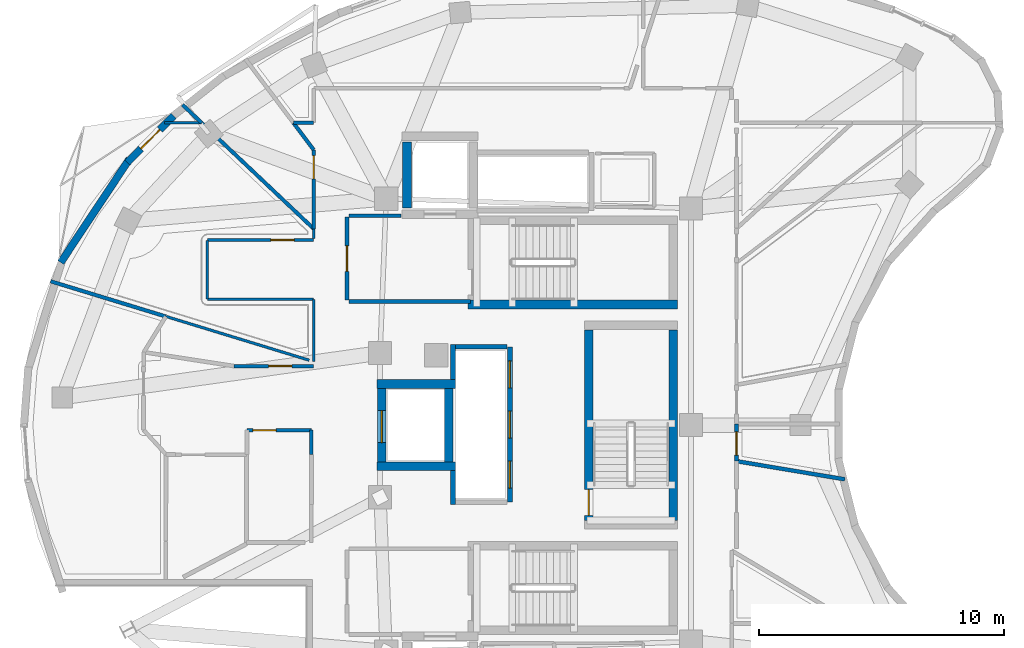
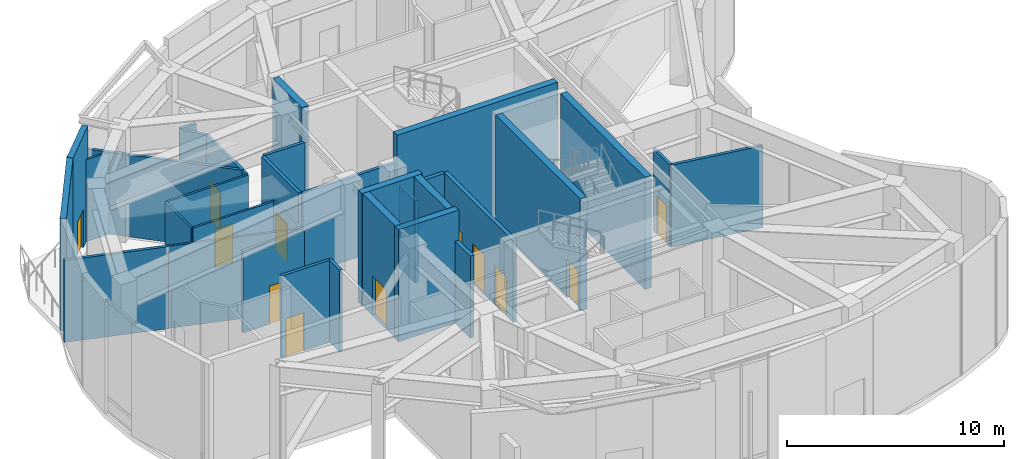
# One storey, part 7 of 12: 35 walls, 12 doors, 12 openings.
"""IFC4 building model written with IfcOpenShell, lengths in metres."""

from ifc_helpers import new_model, si_unit, direction, frame, frame_2d, origin, place, context, subcontext, project, spatial, rectangle, extrude, material, layer, layer_set, type_object, element, fill, save


model = new_model("IFC4")

# Units and contexts
model_context = context("Model", 3, precision=1e-05, world=origin(), true_north=direction((0.0, 1.0)))
body_context = subcontext(model_context, "Body", "Model", "MODEL_VIEW")
ifc_project = project(units=[si_unit("LENGTHUNIT", "METRE"), si_unit("AREAUNIT", "SQUARE_METRE"), si_unit("VOLUMEUNIT", "CUBIC_METRE"), si_unit("PLANEANGLEUNIT", "RADIAN"), si_unit("MASSUNIT", "GRAM", prefix="KILO")], contexts=[model_context])

# Site, building, storey
site_placement = place(None, origin())
site = spatial("IfcSite", under=ifc_project, at=site_placement, CompositionType="ELEMENT")
building_placement = place(site_placement, origin())
building = spatial("IfcBuilding", under=site, at=building_placement, Name="Korentha Bioscience Tower", CompositionType="ELEMENT")
storey_placement = place(building_placement, frame((0.0, 0.0, 291.0)))
storey = spatial("IfcBuildingStorey", under=building, at=storey_placement, Name="L67", CompositionType="ELEMENT", Elevation=291.0)

# Wall, opening, door
ifc_material_1 = material(Name="Double-Stud Acoustic Gypsum", Category="gypsum")
ifc_layer_1 = layer(ifc_material_1, 0.14990234375, Name="Double-Stud Acoustic Gypsum")
ifc_layer_set_1 = layer_set([ifc_layer_1], Name="Double-Stud Acoustic Gypsum (IW-L150)")
wall_type_1 = type_object("IfcWallType", Name="Acoustic Laboratory Partition Wall 150", PredefinedType="PARTITIONING", material=ifc_layer_set_1)
wall_1_placement = place(storey_placement, frame((39.409912109375, 25.536376953125, 0.0), z_axis=(0.0, 0.0, 1.0), x_axis=(0.0, 1.0, 0.0)))
wall_1 = element("IfcWall", 1, at=wall_1_placement, inside=storey, type_object=wall_type_1, Name="L67 Wind-Portal Aerodynamic Viewing Gallery 09 Entrance Wall", PredefinedType="PARTITIONING", context=body_context, shape_type="SweptSolid", body=[
    extrude(rectangle(XDim=1.51171875, YDim=0.14990234375, at=frame_2d((0.755859375, 0.0))), origin(), (0.0, 0.0, 1.0), 4.610107421875),
])
opening_1_placement = place(wall_1_placement, frame((0.239990234375, 0.0, 0.0)))
opening_1 = element("IfcOpeningElement", 2, at=opening_1_placement, cuts=wall_1, Name="Opening ID-10R", PredefinedType="OPENING", context=body_context, shape_type="SweptSolid", body=[
    extrude(rectangle(XDim=0.949951171875, YDim=2.14990234375, at=frame_2d((0.47509765625, 1.074951171875))), frame((0.0, 0.08984375, 0.0), z_axis=(0.0, -1.0, 0.0), x_axis=(1.0, 0.0, 0.0)), (0.0, 0.0, 1.0), 0.1796875),
])
ifc_material_2 = material(Name="Phenolic Laminate Timber Core", Category="wood")
door_type_1 = type_object("IfcDoorType", Name="Laboratory Single Leaf Door 950x2150 Right", OperationType="SINGLE_SWING_RIGHT", PredefinedType="DOOR", material=ifc_material_2)
door_1_placement = place(opening_1_placement, origin())
door_1 = element("IfcDoor", 3, at=door_1_placement, inside=storey, type_object=door_type_1, Name="L67 Wind-Portal Aerodynamic Viewing Gallery 09 Door", OperationType="SINGLE_SWING_RIGHT", OverallHeight=2.14990234375, OverallWidth=0.949951171875, PredefinedType="DOOR", context=body_context, shape_type="SweptSolid", body=[
    extrude(rectangle(XDim=0.949951171875, YDim=2.14990234375, at=frame_2d((0.47509765625, 1.074951171875))), frame((0.0, 0.02490234375, 0.0), z_axis=(0.0, -1.0, 0.0), x_axis=(1.0, 0.0, 0.0)), (0.0, 0.0, 1.0), 0.050048828125),
])
fill(opening_1, door_1)

wall_2_placement = place(storey_placement, frame((22.139892578125, 38.243896484375, 0.0), z_axis=(0.0, 0.0, 1.0), x_axis=(0.0, -1.0, 0.0)))
wall_2 = element("IfcWall", 4, at=wall_2_placement, inside=storey, type_object=wall_type_1, Name="L67 High-Altitude Atmospheric Sensor Lab 16 Entrance Wall", PredefinedType="PARTITIONING", context=body_context, shape_type="SweptSolid", body=[
    extrude(rectangle(XDim=3.226318359375, YDim=0.14990234375, at=frame_2d((1.61328125, 0.0))), origin(), (0.0, 0.0, 1.0), 4.610107421875),
])
opening_2_placement = place(wall_2_placement, frame((0.239990234375, 0.0, 0.0)))
opening_2 = element("IfcOpeningElement", 5, at=opening_2_placement, cuts=wall_2, Name="Opening ID-10L", PredefinedType="OPENING", context=body_context, shape_type="SweptSolid", body=[
    extrude(rectangle(XDim=0.949951171875, YDim=2.14990234375, at=frame_2d((0.47509765625, 1.074951171875))), frame((0.0, 0.08984375, 0.0), z_axis=(0.0, -1.0, 0.0), x_axis=(1.0, 0.0, 0.0)), (0.0, 0.0, 1.0), 0.1796875),
])
door_type_2 = type_object("IfcDoorType", Name="Laboratory Single Leaf Door 950x2150 Left", OperationType="SINGLE_SWING_LEFT", PredefinedType="DOOR", material=ifc_material_2)
door_2_placement = place(opening_2_placement, origin())
door_2 = element("IfcDoor", 6, at=door_2_placement, inside=storey, type_object=door_type_2, Name="L67 High-Altitude Atmospheric Sensor Lab 16 Door", OperationType="SINGLE_SWING_LEFT", OverallHeight=2.14990234375, OverallWidth=0.949951171875, PredefinedType="DOOR", context=body_context, shape_type="SweptSolid", body=[
    extrude(rectangle(XDim=0.949951171875, YDim=2.14990234375, at=frame_2d((0.47509765625, 1.074951171875))), frame((0.0, 0.02490234375, 0.0), z_axis=(0.0, -1.0, 0.0), x_axis=(1.0, 0.0, 0.0)), (0.0, 0.0, 1.0), 0.050048828125),
])
fill(opening_2, door_2)

wall_3_placement = place(storey_placement, frame((22.139892578125, 29.409912109375, 0.0), z_axis=(0.0, 0.0, 1.0), x_axis=(-1.0, 0.0, 0.0)))
wall_3 = element("IfcWall", 7, at=wall_3_placement, inside=storey, type_object=wall_type_1, Name="L67 Public Science Briefing Room 18 Entrance Wall", PredefinedType="PARTITIONING", context=body_context, shape_type="SweptSolid", body=[
    extrude(rectangle(XDim=3.255126953125, YDim=0.14990234375, at=frame_2d((1.62744140625, 0.0))), origin(), (0.0, 0.0, 1.0), 4.610107421875),
])
opening_3_placement = place(wall_3_placement, frame((0.89501953125, 0.0, 0.0)))
opening_3 = element("IfcOpeningElement", 8, at=opening_3_placement, cuts=wall_3, Name="Opening ID-10L", PredefinedType="OPENING", context=body_context, shape_type="SweptSolid", body=[
    extrude(rectangle(XDim=0.949951171875, YDim=2.14990234375, at=frame_2d((0.47509765625, 1.074951171875))), frame((0.0, 0.08984375, 0.0), z_axis=(0.0, -1.0, 0.0), x_axis=(1.0, 0.0, 0.0)), (0.0, 0.0, 1.0), 0.1796875),
])
door_3_placement = place(opening_3_placement, origin())
door_3 = element("IfcDoor", 9, at=door_3_placement, inside=storey, type_object=door_type_2, Name="L67 Public Science Briefing Room 18 Door", OperationType="SINGLE_SWING_LEFT", OverallHeight=2.14990234375, OverallWidth=0.949951171875, PredefinedType="DOOR", context=body_context, shape_type="SweptSolid", body=[
    extrude(rectangle(XDim=0.949951171875, YDim=2.14990234375, at=frame_2d((0.47509765625, 1.074951171875))), frame((0.0, 0.02490234375, 0.0), z_axis=(0.0, -1.0, 0.0), x_axis=(1.0, 0.0, 0.0)), (0.0, 0.0, 1.0), 0.050048828125),
])
fill(opening_3, door_3)

# Walls
wall_4_placement = place(storey_placement, frame((11.395263671875, 32.8740234375, 0.0), z_axis=(0.0, 0.0, 1.0), x_axis=(0.956304539226, -0.292372413638, 0.0)))
element("IfcWall", 10, at=wall_4_placement, inside=storey, type_object=wall_type_1, Name="L67 Interior Partition 029", PredefinedType="PARTITIONING", context=body_context, shape_type="SweptSolid", body=[
    extrude(rectangle(XDim=4.91748046875, YDim=0.14990234375, at=frame_2d((2.458740234375, 0.0))), origin(), (0.0, 0.0, 1.0), 4.610107421875),
])
wall_5_placement = place(storey_placement, frame((22.139892578125, 39.35205078125, 0.0), z_axis=(0.0, 0.0, 1.0), x_axis=(-1.0, 0.0, 0.0)))
element("IfcWall", 11, at=wall_5_placement, inside=storey, type_object=wall_type_1, Name="L67 Interior Partition 071", PredefinedType="PARTITIONING", context=body_context, shape_type="SweptSolid", body=[
    extrude(rectangle(XDim=0.82958984375, YDim=0.14990234375, at=frame_2d((0.414794921875, 0.0))), origin(), (0.0, 0.0, 1.0), 4.610107421875),
])
wall_6_placement = place(storey_placement, frame((21.3125, 39.342041015625, 0.0), z_axis=(0.0, 0.0, 1.0), x_axis=(0.601759967569, -0.79867699443, 0.0)))
element("IfcWall", 12, at=wall_6_placement, inside=storey, type_object=wall_type_1, Name="L67 Interior Partition 073", PredefinedType="PARTITIONING", context=body_context, shape_type="SweptSolid", body=[
    extrude(rectangle(XDim=1.375, YDim=0.14990234375, at=frame_2d((0.6875, 0.0))), origin(), (0.0, 0.0, 1.0), 4.610107421875),
])
wall_7_placement = place(storey_placement, frame((22.139892578125, 35.017578125, 0.0), z_axis=(0.0, 0.0, 1.0), x_axis=(-0.726568240796, 0.68709431046, 0.0)))
element("IfcWall", 13, at=wall_7_placement, inside=storey, type_object=wall_type_1, Name="L67 Interior Partition 074", PredefinedType="PARTITIONING", context=body_context, shape_type="SweptSolid", body=[
    extrude(rectangle(XDim=6.302490234375, YDim=0.14990234375, at=frame_2d((3.1513671875, 0.0))), origin(), (0.0, 0.0, 1.0), 4.610107421875),
])
wall_8_placement = place(storey_placement, frame((17.556396484375, 39.35205078125, 0.0), z_axis=(0.0, 0.0, 1.0), x_axis=(-0.726468416955, 0.687199853876, 0.0)))
element("IfcWall", 14, at=wall_8_placement, inside=storey, type_object=wall_type_1, Name="L67 Interior Partition 075", PredefinedType="PARTITIONING", context=body_context, shape_type="SweptSolid", body=[
    extrude(rectangle(XDim=1.0693359375, YDim=0.14990234375, at=frame_2d((0.53466796875, 0.0))), origin(), (0.0, 0.0, 1.0), 4.610107421875),
])

# Wall, opening, door
ifc_material_3 = material(Name="Fire-Rated Framed Glass", Category="glass")
ifc_layer_2 = layer(ifc_material_3, 0.110107421875, Name="Fire-Rated Framed Glass")
ifc_layer_set_2 = layer_set([ifc_layer_2], Name="Fire-Rated Framed Glass (IW-G110)")
wall_type_2 = type_object("IfcWallType", Name="Demountable Glazed Office Partition 110", PredefinedType="MOVABLE", material=ifc_layer_set_2)
wall_9_placement = place(storey_placement, frame((22.139892578125, 34.56005859375, 0.0), z_axis=(0.0, 0.0, 1.0), x_axis=(-1.0, 0.0, 0.0)))
wall_9 = element("IfcWall", 15, at=wall_9_placement, inside=storey, type_object=wall_type_2, Name="L67 Climate Telemetry Control Studio 17 Entrance Wall", PredefinedType="MOVABLE", context=body_context, shape_type="SweptSolid", body=[
    extrude(rectangle(XDim=4.33984375, YDim=0.110107421875, at=frame_2d((2.169921875, 0.0))), origin(), (0.0, 0.0, 1.0), 4.610107421875),
])
opening_4_placement = place(wall_9_placement, frame((0.80126953125, 0.0, 0.0)))
opening_4 = element("IfcOpeningElement", 16, at=opening_4_placement, cuts=wall_9, Name="Opening ID-10R", PredefinedType="OPENING", context=body_context, shape_type="SweptSolid", body=[
    extrude(rectangle(XDim=0.949951171875, YDim=2.14990234375, at=frame_2d((0.47509765625, 1.074951171875))), frame((0.0, 0.06982421875, 0.0), z_axis=(0.0, -1.0, 0.0), x_axis=(1.0, 0.0, 0.0)), (0.0, 0.0, 1.0), 0.139892578125),
])
door_4_placement = place(opening_4_placement, origin())
door_4 = element("IfcDoor", 17, at=door_4_placement, inside=storey, type_object=door_type_1, Name="L67 Climate Telemetry Control Studio 17 Door", OperationType="SINGLE_SWING_RIGHT", OverallHeight=2.14990234375, OverallWidth=0.949951171875, PredefinedType="DOOR", context=body_context, shape_type="SweptSolid", body=[
    extrude(rectangle(XDim=0.949951171875, YDim=2.14990234375, at=frame_2d((0.47509765625, 1.074951171875))), frame((0.0, 0.02490234375, 0.0), z_axis=(0.0, -1.0, 0.0), x_axis=(1.0, 0.0, 0.0)), (0.0, 0.0, 1.0), 0.050048828125),
])
fill(opening_4, door_4)

# Walls
wall_10_placement = place(storey_placement, frame((16.044677734375, 39.347900390625, 0.0), z_axis=(0.0, 0.0, 1.0), x_axis=(1.0, 0.0, 0.0)))
element("IfcWall", 18, at=wall_10_placement, inside=storey, type_object=wall_type_2, Name="L67 Interior Partition 076", PredefinedType="MOVABLE", context=body_context, shape_type="SweptSolid", body=[
    extrude(rectangle(XDim=1.50146484375, YDim=0.110107421875, at=frame_2d((0.750732421875, 0.0))), origin(), (0.0, 0.0, 1.0), 4.610107421875),
])
wall_11_placement = place(storey_placement, frame((22.139892578125, 35.007568359375, 0.0), z_axis=(0.0, 0.0, 1.0), x_axis=(0.0, -1.0, 0.0)))
element("IfcWall", 19, at=wall_11_placement, inside=storey, type_object=wall_type_2, Name="L67 Interior Partition 077", PredefinedType="MOVABLE", context=body_context, shape_type="SweptSolid", body=[
    extrude(rectangle(XDim=0.3896484375, YDim=0.110107421875, at=frame_2d((0.19482421875, 0.0))), origin(), (0.0, 0.0, 1.0), 4.610107421875),
])
wall_12_placement = place(storey_placement, frame((17.7900390625, 34.550048828125, 0.0), z_axis=(0.0, 0.0, 1.0), x_axis=(0.0, -1.0, 0.0)))
element("IfcWall", 20, at=wall_12_placement, inside=storey, type_object=wall_type_2, Name="L67 Interior Partition 078", PredefinedType="MOVABLE", context=body_context, shape_type="SweptSolid", body=[
    extrude(rectangle(XDim=2.400146484375, YDim=0.110107421875, at=frame_2d((1.2001953125, 0.0))), origin(), (0.0, 0.0, 1.0), 4.610107421875),
])
wall_13_placement = place(storey_placement, frame((17.800048828125, 32.139892578125, 0.0), z_axis=(0.0, 0.0, 1.0), x_axis=(1.0, 0.0, 0.0)))
element("IfcWall", 21, at=wall_13_placement, inside=storey, type_object=wall_type_2, Name="L67 Interior Partition 079", PredefinedType="MOVABLE", context=body_context, shape_type="SweptSolid", body=[
    extrude(rectangle(XDim=4.33984375, YDim=0.110107421875, at=frame_2d((2.169921875, 0.0))), origin(), (0.0, 0.0, 1.0), 4.610107421875),
])
wall_14_placement = place(storey_placement, frame((22.139892578125, 32.139892578125, 0.0), z_axis=(0.0, 0.0, 1.0), x_axis=(0.0, -1.0, 0.0)))
element("IfcWall", 22, at=wall_14_placement, inside=storey, type_object=wall_type_2, Name="L67 Interior Partition 080", PredefinedType="MOVABLE", context=body_context, shape_type="SweptSolid", body=[
    extrude(rectangle(XDim=2.546630859375, YDim=0.110107421875, at=frame_2d((1.2734375, 0.0))), origin(), (0.0, 0.0, 1.0), 4.610107421875),
])
wall_15_placement = place(storey_placement, frame((21.95458984375, 29.64990234375, 0.0), z_axis=(0.0, 0.0, 1.0), x_axis=(-0.956300718174, 0.292384911411, 0.0)))
element("IfcWall", 23, at=wall_15_placement, inside=storey, type_object=wall_type_2, Name="L67 Interior Partition 081", PredefinedType="MOVABLE", context=body_context, shape_type="SweptSolid", body=[
    extrude(rectangle(XDim=6.11376953125, YDim=0.110107421875, at=frame_2d((3.056884765625, 0.0))), origin(), (0.0, 0.0, 1.0), 4.610107421875),
])

# Wall, opening, door
ifc_material_4 = material(Name="Gypsum-Clad Steel Stud", Category="steel")
ifc_layer_3 = layer(ifc_material_4, 0.159912109375, Name="Gypsum-Clad Steel Stud")
ifc_layer_set_3 = layer_set([ifc_layer_3], Name="Gypsum-Clad Steel Stud (IW-C160)")
wall_type_3 = type_object("IfcWallType", Name="Fire-Rated Corridor Partition Wall 160", PredefinedType="PARTITIONING", material=ifc_layer_set_3)
wall_16_placement = place(storey_placement, frame((23.5, 32.10009765625, 0.0), z_axis=(0.0, 0.0, 1.0), x_axis=(0.0, 1.0, 0.0)))
wall_16 = element("IfcWall", 24, at=wall_16_placement, inside=storey, type_object=wall_type_3, Name="L67 FFLN-CW Rated Enclosure Wall", PredefinedType="PARTITIONING", context=body_context, shape_type="SweptSolid", body=[
    extrude(rectangle(XDim=3.39990234375, YDim=0.159912109375, at=frame_2d((1.699951171875, 0.0))), origin(), (0.0, 0.0, 1.0), 4.610107421875),
])
opening_5_placement = place(wall_16_placement, frame((1.175048828125, 0.0, 0.0)))
opening_5 = element("IfcOpeningElement", 25, at=opening_5_placement, cuts=wall_16, Name="Opening FD-90R", PredefinedType="OPENING", context=body_context, shape_type="SweptSolid", body=[
    extrude(rectangle(XDim=1.050048828125, YDim=2.14990234375, at=frame_2d((0.52490234375, 1.074951171875))), frame((0.0, 0.0947265625, 0.0), z_axis=(0.0, -1.0, 0.0), x_axis=(1.0, 0.0, 0.0)), (0.0, 0.0, 1.0), 0.189697265625),
])
ifc_material_5 = material(Name="Powder-Coated Fire-Rated Steel", Category="steel")
door_type_3 = type_object("IfcDoorType", Name="Stairwell Fire Exit Door 1050x2150 Right", OperationType="SINGLE_SWING_RIGHT", PredefinedType="DOOR", material=ifc_material_5)
door_5_placement = place(opening_5_placement, origin())
door_5 = element("IfcDoor", 26, at=door_5_placement, inside=storey, type_object=door_type_3, Name="L67 North Firefighting Lobby Door", OperationType="SINGLE_SWING_RIGHT", OverallHeight=2.14990234375, OverallWidth=1.050048828125, PredefinedType="DOOR", context=body_context, shape_type="SweptSolid", body=[
    extrude(rectangle(XDim=1.050048828125, YDim=2.14990234375, at=frame_2d((0.52490234375, 1.074951171875))), frame((0.0, 0.02490234375, 0.0), z_axis=(0.0, -1.0, 0.0), x_axis=(1.0, 0.0, 0.0)), (0.0, 0.0, 1.0), 0.050048828125),
])
fill(opening_5, door_5)

# Walls
wall_17_placement = place(storey_placement, frame((23.580078125, 32.050048828125, 0.0), z_axis=(0.0, 0.0, 1.0), x_axis=(1.0, 0.0, 0.0)))
element("IfcWall", 27, at=wall_17_placement, inside=storey, type_object=wall_type_3, Name="L67 Firefighting Lobby Return Wall FFLN-S", PredefinedType="PARTITIONING", context=body_context, shape_type="SweptSolid", body=[
    extrude(rectangle(XDim=4.969970703125, YDim=0.159912109375, at=frame_2d((2.48486328125, 0.0))), origin(), (0.0, 0.0, 1.0), 4.610107421875),
])
wall_18_placement = place(storey_placement, frame((23.580078125, 35.550048828125, 0.0), z_axis=(0.0, 0.0, 1.0), x_axis=(1.0, 0.0, 0.0)))
element("IfcWall", 28, at=wall_18_placement, inside=storey, type_object=wall_type_3, Name="L67 Firefighting Lobby Return Wall FFLN-N", PredefinedType="PARTITIONING", context=body_context, shape_type="SweptSolid", body=[
    extrude(rectangle(XDim=2.119873046875, YDim=0.159912109375, at=frame_2d((1.06005859375, 0.0))), origin(), (0.0, 0.0, 1.0), 4.610107421875),
])

# Wall, opening, door
wall_19_placement = place(storey_placement, frame((19.409912109375, 26.7900390625, 0.0), z_axis=(0.0, 0.0, 1.0), x_axis=(1.0, 0.0, 0.0)))
wall_19 = element("IfcWall", 29, at=wall_19_placement, inside=storey, type_object=wall_type_3, Name="L67 Core Electrical and Telecoms Riser Store Entrance Wall", PredefinedType="PARTITIONING", context=body_context, shape_type="SweptSolid", body=[
    extrude(rectangle(XDim=2.630126953125, YDim=0.159912109375, at=frame_2d((1.31494140625, 0.0))), origin(), (0.0, 0.0, 1.0), 4.610107421875),
])
opening_6_placement = place(wall_19_placement, frame((0.239990234375, 0.0, 0.0)))
opening_6 = element("IfcOpeningElement", 30, at=opening_6_placement, cuts=wall_19, Name="Opening ID-10L", PredefinedType="OPENING", context=body_context, shape_type="SweptSolid", body=[
    extrude(rectangle(XDim=0.949951171875, YDim=2.14990234375, at=frame_2d((0.47509765625, 1.074951171875))), frame((0.0, 0.0947265625, 0.0), z_axis=(0.0, -1.0, 0.0), x_axis=(1.0, 0.0, 0.0)), (0.0, 0.0, 1.0), 0.189697265625),
])
door_6_placement = place(opening_6_placement, origin())
door_6 = element("IfcDoor", 31, at=door_6_placement, inside=storey, type_object=door_type_2, Name="L67 Core Electrical and Telecoms Riser Store Door", OperationType="SINGLE_SWING_LEFT", OverallHeight=2.14990234375, OverallWidth=0.949951171875, PredefinedType="DOOR", context=body_context, shape_type="SweptSolid", body=[
    extrude(rectangle(XDim=0.949951171875, YDim=2.14990234375, at=frame_2d((0.47509765625, 1.074951171875))), frame((0.0, 0.02490234375, 0.0), z_axis=(0.0, -1.0, 0.0), x_axis=(1.0, 0.0, 0.0)), (0.0, 0.0, 1.0), 0.050048828125),
])
fill(opening_6, door_6)

# Walls
wall_20_placement = place(storey_placement, frame((22.0400390625, 26.7900390625, 0.0), z_axis=(0.0, 0.0, 1.0), x_axis=(0.0, -1.0, 0.0)))
element("IfcWall", 32, at=wall_20_placement, inside=storey, type_object=wall_type_3, Name="L67 Interior Partition 027", PredefinedType="PARTITIONING", context=body_context, shape_type="SweptSolid", body=[
    extrude(rectangle(XDim=0.989990234375, YDim=0.159912109375, at=frame_2d((0.4951171875, 0.0))), origin(), (0.0, 0.0, 1.0), 4.610107421875),
])
wall_21_placement = place(storey_placement, frame((39.409912109375, 25.5263671875, 0.0), z_axis=(0.0, 0.0, 1.0), x_axis=(0.986284942524, -0.165051543921, 0.0)))
element("IfcWall", 33, at=wall_21_placement, inside=storey, type_object=wall_type_3, Name="L67 Interior Partition 056", PredefinedType="PARTITIONING", context=body_context, shape_type="SweptSolid", body=[
    extrude(rectangle(XDim=4.4892578125, YDim=0.159912109375, at=frame_2d((2.24462890625, 0.0))), origin(), (0.0, 0.0, 1.0), 4.610107421875),
])

# Wall, opening, door
ifc_material_6 = material(Name="Honed Limestone Precast Concrete C40", Category="masonry")
ifc_layer_4 = layer(ifc_material_6, 0.300048828125, Name="Honed Limestone Precast Concrete C40")
ifc_layer_set_4 = layer_set([ifc_layer_4], Name="Honed Limestone Precast Concrete C40 (EW-ST300)")
wall_type_4 = type_object("IfcWallType", Name="Honed Limestone Cavity Spandrel Wall 300", PredefinedType="STANDARD", material=ifc_layer_set_4)
wall_22_placement = place(storey_placement, frame((16.413818359375, 39.6328125, 0.0), z_axis=(0.0, 0.0, 1.0), x_axis=(-0.703783131399, -0.710414881572, 0.0)))
wall_22 = element("IfcWall", 34, at=wall_22_placement, inside=storey, type_object=wall_type_4, Name="L67 Balcony Threshold Wall 02", PredefinedType="STANDARD", context=body_context, shape_type="SweptSolid", body=[
    extrude(rectangle(XDim=2.6875, YDim=0.300048828125, at=frame_2d((1.34375, 0.0))), origin(), (0.0, 0.0, 1.0), 6.300048828125),
])
opening_7_placement = place(wall_22_placement, frame((0.793701171875, 0.0, 0.0)))
opening_7 = element("IfcOpeningElement", 35, at=opening_7_placement, cuts=wall_22, Name="Opening BD-11R", PredefinedType="OPENING", context=body_context, shape_type="SweptSolid", body=[
    extrude(rectangle(XDim=1.10009765625, YDim=2.14990234375, at=frame_2d((0.550048828125, 1.074951171875))), frame((0.0, 0.1650390625, 0.0), z_axis=(0.0, -1.0, 0.0), x_axis=(1.0, 0.0, 0.0)), (0.0, 0.0, 1.0), 0.329833984375),
])
ifc_material_7 = material(Name="Thermally Broken Glazed Aluminium", Category="aluminium")
door_type_4 = type_object("IfcDoorType", Name="Balcony Terrace Glazed Door 1100x2150 Right", OperationType="SINGLE_SWING_RIGHT", PredefinedType="DOOR", material=ifc_material_7)
door_7_placement = place(opening_7_placement, origin())
door_7 = element("IfcDoor", 36, at=door_7_placement, inside=storey, type_object=door_type_4, Name="L67 Balcony Access Door 02", OperationType="SINGLE_SWING_RIGHT", OverallHeight=2.14990234375, OverallWidth=1.10009765625, PredefinedType="DOOR", context=body_context, shape_type="SweptSolid", body=[
    extrude(rectangle(XDim=1.10009765625, YDim=2.14990234375, at=frame_2d((0.550048828125, 1.074951171875))), frame((0.0, 0.02490234375, 0.0), z_axis=(0.0, -1.0, 0.0), x_axis=(1.0, 0.0, 0.0)), (0.0, 0.0, 1.0), 0.050048828125),
])
fill(opening_7, door_7)

# Walls
wall_23_placement = place(storey_placement, frame((14.61181640625, 37.8681640625, 0.0), z_axis=(0.0, 0.0, 1.0), x_axis=(-0.553332864868, -0.832960227536, 0.0)))
element("IfcWall", 37, at=wall_23_placement, inside=storey, type_object=wall_type_4, Name="L67 Limestone Perimeter Closure Wall 14", PredefinedType="STANDARD", context=body_context, shape_type="SweptSolid", body=[
    extrude(rectangle(XDim=5.07080078125, YDim=0.300048828125, at=frame_2d((2.535400390625, 0.0))), origin(), (0.0, 0.0, 1.0), 6.300048828125),
])
ifc_material_8 = material(Name="Autoclaved Aerated Concrete Block C25", Category="concrete")
ifc_layer_5 = layer(ifc_material_8, 0.199951171875, Name="Autoclaved Aerated Concrete Block C25")
ifc_layer_set_5 = layer_set([ifc_layer_5], Name="Autoclaved Aerated Concrete Block C25 (IW-S200)")
wall_type_5 = type_object("IfcWallType", Name="Lift and Riser Shaft Enclosure Wall 200", PredefinedType="PARTITIONING", material=ifc_layer_set_5)
wall_24_placement = place(storey_placement, frame((27.830078125, 23.75, 0.0), z_axis=(0.0, 0.0, 1.0), x_axis=(0.0, 1.0, 0.0)))
element("IfcWall", 38, at=wall_24_placement, inside=storey, type_object=wall_type_5, Name="L67 Lift Bank HIGH Shaft Wall -XS", PredefinedType="PARTITIONING", context=body_context, shape_type="SweptSolid", body=[
    extrude(rectangle(XDim=1.39111328125, YDim=0.199951171875, at=frame_2d((0.695556640625, 0.0))), origin(), (0.0, 0.0, 1.0), 4.610107421875),
])
wall_25_placement = place(storey_placement, frame((27.830078125, 28.85888671875, 0.0), z_axis=(0.0, 0.0, 1.0), x_axis=(0.0, 1.0, 0.0)))
element("IfcWall", 39, at=wall_25_placement, inside=storey, type_object=wall_type_5, Name="L67 Lift Bank HIGH Shaft Wall -XN", PredefinedType="PARTITIONING", context=body_context, shape_type="SweptSolid", body=[
    extrude(rectangle(XDim=1.441162109375, YDim=0.199951171875, at=frame_2d((0.720703125, 0.0))), origin(), (0.0, 0.0, 1.0), 4.610107421875),
])

# Wall, openings, doors
wall_26_placement = place(storey_placement, frame((30.14990234375, 23.85009765625, 0.0), z_axis=(0.0, 0.0, 1.0), x_axis=(0.0, 1.0, 0.0)))
wall_26 = element("IfcWall", 40, at=wall_26_placement, inside=storey, type_object=wall_type_5, Name="L67 Lift Bank HIGH Shaft Wall +X", PredefinedType="PARTITIONING", context=body_context, shape_type="SweptSolid", body=[
    extrude(rectangle(XDim=6.349853515625, YDim=0.199951171875, at=frame_2d((3.1748046875, 0.0))), origin(), (0.0, 0.0, 1.0), 4.610107421875),
])
opening_8_placement = place(wall_26_placement, frame((0.580078125, 0.0, 0.0)))
opening_8 = element("IfcOpeningElement", 41, at=opening_8_placement, cuts=wall_26, Name="Opening LD-11", PredefinedType="OPENING", context=body_context, shape_type="SweptSolid", body=[
    extrude(rectangle(XDim=1.10009765625, YDim=2.199951171875, at=frame_2d((0.550048828125, 1.10009765625))), frame((0.0, 0.11474609375, 0.0), z_axis=(0.0, -1.0, 0.0), x_axis=(1.0, 0.0, 0.0)), (0.0, 0.0, 1.0), 0.229736328125),
])
opening_9_placement = place(wall_26_placement, frame((2.6201171875, 0.0, 0.0)))
opening_9 = element("IfcOpeningElement", 42, at=opening_9_placement, cuts=wall_26, Name="Opening LD-11", PredefinedType="OPENING", context=body_context, shape_type="SweptSolid", body=[
    extrude(rectangle(XDim=1.10009765625, YDim=2.199951171875, at=frame_2d((0.550048828125, 1.10009765625))), frame((0.0, 0.11474609375, 0.0), z_axis=(0.0, -1.0, 0.0), x_axis=(1.0, 0.0, 0.0)), (0.0, 0.0, 1.0), 0.229736328125),
])
opening_10_placement = place(wall_26_placement, frame((4.669921875, 0.0, 0.0)))
opening_10 = element("IfcOpeningElement", 43, at=opening_10_placement, cuts=wall_26, Name="Opening LD-11", PredefinedType="OPENING", context=body_context, shape_type="SweptSolid", body=[
    extrude(rectangle(XDim=1.10009765625, YDim=2.199951171875, at=frame_2d((0.550048828125, 1.10009765625))), frame((0.0, 0.11474609375, 0.0), z_axis=(0.0, -1.0, 0.0), x_axis=(1.0, 0.0, 0.0)), (0.0, 0.0, 1.0), 0.229736328125),
])
ifc_material_9 = material(Name="Brushed Stainless Steel 304", Category="steel")
door_type_5 = type_object("IfcDoorType", Name="Passenger Lift Sliding Landing Door 1100x2200", OperationType="DOUBLE_DOOR_SLIDING", PredefinedType="DOOR", material=ifc_material_9)
door_8_placement = place(opening_8_placement, origin())
door_8 = element("IfcDoor", 44, at=door_8_placement, inside=storey, type_object=door_type_5, Name="L67 PL-H1 Sliding Lift Landing Door", OperationType="DOUBLE_DOOR_SLIDING", OverallHeight=2.199951171875, OverallWidth=1.10009765625, PredefinedType="DOOR", context=body_context, shape_type="SweptSolid", body=[
    extrude(rectangle(XDim=1.10009765625, YDim=2.199951171875, at=frame_2d((0.550048828125, 1.10009765625))), frame((0.0, 0.02490234375, 0.0), z_axis=(0.0, -1.0, 0.0), x_axis=(1.0, 0.0, 0.0)), (0.0, 0.0, 1.0), 0.050048828125),
])
fill(opening_8, door_8)
door_9_placement = place(opening_9_placement, origin())
door_9 = element("IfcDoor", 45, at=door_9_placement, inside=storey, type_object=door_type_5, Name="L67 PL-H2 Sliding Lift Landing Door", OperationType="DOUBLE_DOOR_SLIDING", OverallHeight=2.199951171875, OverallWidth=1.10009765625, PredefinedType="DOOR", context=body_context, shape_type="SweptSolid", body=[
    extrude(rectangle(XDim=1.10009765625, YDim=2.199951171875, at=frame_2d((0.550048828125, 1.10009765625))), frame((0.0, 0.02490234375, 0.0), z_axis=(0.0, -1.0, 0.0), x_axis=(1.0, 0.0, 0.0)), (0.0, 0.0, 1.0), 0.050048828125),
])
fill(opening_9, door_9)
door_10_placement = place(opening_10_placement, origin())
door_10 = element("IfcDoor", 46, at=door_10_placement, inside=storey, type_object=door_type_5, Name="L67 PL-H3 Sliding Lift Landing Door", OperationType="DOUBLE_DOOR_SLIDING", OverallHeight=2.199951171875, OverallWidth=1.10009765625, PredefinedType="DOOR", context=body_context, shape_type="SweptSolid", body=[
    extrude(rectangle(XDim=1.10009765625, YDim=2.199951171875, at=frame_2d((0.550048828125, 1.10009765625))), frame((0.0, 0.02490234375, 0.0), z_axis=(0.0, -1.0, 0.0), x_axis=(1.0, 0.0, 0.0)), (0.0, 0.0, 1.0), 0.050048828125),
])
fill(opening_10, door_10)

# Walls
wall_27_placement = place(storey_placement, frame((27.93408203125, 30.199951171875, 0.0), z_axis=(0.0, 0.0, 1.0), x_axis=(1.0, 0.0, 0.0)))
element("IfcWall", 47, at=wall_27_placement, inside=storey, type_object=wall_type_5, Name="L67 Lift Bank HIGH Shaft Wall +Y", PredefinedType="PARTITIONING", context=body_context, shape_type="SweptSolid", body=[
    extrude(rectangle(XDim=2.095947265625, YDim=0.199951171875, at=frame_2d((1.0478515625, 0.0))), origin(), (0.0, 0.0, 1.0), 4.610107421875),
])
ifc_material_10 = material(Name="Concrete C50", Category="concrete")
ifc_layer_6 = layer(ifc_material_10, 0.35009765625, Name="Concrete C50")
ifc_layer_set_6 = layer_set([ifc_layer_6], Name="Concrete C50 (CW-C50)")
wall_type_6 = type_object("IfcWallType", Name="Upper Core Shear Wall 350", PredefinedType="SHEAR", material=ifc_layer_set_6)
wall_28_placement = place(storey_placement, frame((28.449951171875, 31.925048828125, 0.0), z_axis=(0.0, 0.0, 1.0), x_axis=(1.0, 0.0, 0.0)))
element("IfcWall", 48, at=wall_28_placement, inside=storey, type_object=wall_type_6, Name="L67 Core Shear Wall ST1-S", PredefinedType="SHEAR", context=body_context, shape_type="SweptSolid", body=[
    extrude(rectangle(XDim=8.550048828125, YDim=0.35009765625, at=frame_2d((4.27490234375, 0.0))), origin(), (0.0, 0.0, 1.0), 6.300048828125),
])
wall_29_placement = place(storey_placement, frame((36.824951171875, 23.110107421875, 0.0), z_axis=(0.0, 0.0, 1.0), x_axis=(0.0, 1.0, 0.0)))
element("IfcWall", 49, at=wall_29_placement, inside=storey, type_object=wall_type_6, Name="L67 Core Shear Wall ST3-E", PredefinedType="SHEAR", context=body_context, shape_type="SweptSolid", body=[
    extrude(rectangle(XDim=7.77978515625, YDim=0.35009765625, at=frame_2d((3.889892578125, 0.0))), origin(), (0.0, 0.0, 1.0), 6.300048828125),
])

# Wall, opening, door
wall_30_placement = place(storey_placement, frame((33.375, 23.110107421875, 0.0), z_axis=(0.0, 0.0, 1.0), x_axis=(0.0, 1.0, 0.0)))
wall_30 = element("IfcWall", 50, at=wall_30_placement, inside=storey, type_object=wall_type_6, Name="L67 Core Shear Wall ST3-W", PredefinedType="SHEAR", context=body_context, shape_type="SweptSolid", body=[
    extrude(rectangle(XDim=7.77978515625, YDim=0.35009765625, at=frame_2d((3.889892578125, 0.0))), origin(), (0.0, 0.0, 1.0), 6.300048828125),
])
opening_11_placement = place(wall_30_placement, frame((0.199951171875, 0.0, 0.0)))
opening_11 = element("IfcOpeningElement", 51, at=opening_11_placement, cuts=wall_30, Name="Opening FD-90R", PredefinedType="OPENING", context=body_context, shape_type="SweptSolid", body=[
    extrude(rectangle(XDim=1.050048828125, YDim=2.14990234375, at=frame_2d((0.52490234375, 1.074951171875))), frame((0.0, 0.18994140625, 0.0), z_axis=(0.0, -1.0, 0.0), x_axis=(1.0, 0.0, 0.0)), (0.0, 0.0, 1.0), 0.3798828125),
])
door_11_placement = place(opening_11_placement, origin())
door_11 = element("IfcDoor", 52, at=door_11_placement, inside=storey, type_object=door_type_3, Name="L67 ST-3 Fire Exit Stair Door", OperationType="SINGLE_SWING_RIGHT", OverallHeight=2.14990234375, OverallWidth=1.050048828125, PredefinedType="DOOR", context=body_context, shape_type="SweptSolid", body=[
    extrude(rectangle(XDim=1.050048828125, YDim=2.14990234375, at=frame_2d((0.52490234375, 1.074951171875))), frame((0.0, 0.02490234375, 0.0), z_axis=(0.0, -1.0, 0.0), x_axis=(1.0, 0.0, 0.0)), (0.0, 0.0, 1.0), 0.050048828125),
])
fill(opening_11, door_11)

# Walls
wall_31_placement = place(storey_placement, frame((25.949951171875, 35.860107421875, 0.0), z_axis=(0.0, 0.0, 1.0), x_axis=(0.0, 1.0, 0.0)))
element("IfcWall", 53, at=wall_31_placement, inside=storey, type_object=wall_type_6, Name="L67 Core Shear Wall FFL2-W", PredefinedType="SHEAR", context=body_context, shape_type="SweptSolid", body=[
    extrude(rectangle(XDim=2.699951171875, YDim=0.35009765625, at=frame_2d((1.35009765625, 0.0))), origin(), (0.0, 0.0, 1.0), 6.300048828125),
])
for number, where, z_axis, x_axis, name in (
    (54, (24.719970703125, 28.679931640625, 0.0), (0.0, 0.0, 1.0), (1.0, 0.0, 0.0), "L67 Core Shear Wall SVL1-N"),
    (55, (24.719970703125, 25.320068359375, 0.0), (0.0, 0.0, 1.0), (1.0, 0.0, 0.0), "L67 Core Shear Wall SVL1-S"),
):
    element("IfcWall", number, at=place(storey_placement, frame(where, z_axis=z_axis, x_axis=x_axis)), inside=storey, type_object=wall_type_6, Name=name, PredefinedType="SHEAR", context=body_context, shape_type="SweptSolid", body=[
        extrude(rectangle(XDim=3.2099609375, YDim=0.35009765625, at=frame_2d((1.60498046875, 0.0))), origin(), (0.0, 0.0, 1.0), 6.300048828125),
    ])

# Wall, opening, door
wall_32_placement = place(storey_placement, frame((24.919921875, 25.4970703125, 0.0), z_axis=(0.0, 0.0, 1.0), x_axis=(0.0, 1.0, 0.0)))
wall_32 = element("IfcWall", 56, at=wall_32_placement, inside=storey, type_object=wall_type_6, Name="L67 Core Shear Wall SVL1-W", PredefinedType="SHEAR", context=body_context, shape_type="SweptSolid", body=[
    extrude(rectangle(XDim=3.005859375, YDim=0.35009765625, at=frame_2d((1.5029296875, 0.0))), origin(), (0.0, 0.0, 1.0), 6.300048828125),
])
opening_12_placement = place(wall_32_placement, frame((0.7900390625, 0.0, 0.0)))
opening_12 = element("IfcOpeningElement", 57, at=opening_12_placement, cuts=wall_32, Name="Opening LD-13", PredefinedType="OPENING", context=body_context, shape_type="SweptSolid", body=[
    extrude(rectangle(XDim=1.300048828125, YDim=2.199951171875, at=frame_2d((0.64990234375, 1.10009765625))), frame((0.0, 0.18994140625, 0.0), z_axis=(0.0, -1.0, 0.0), x_axis=(1.0, 0.0, 0.0)), (0.0, 0.0, 1.0), 0.3798828125),
])
ifc_material_11 = material(Name="Brushed Stainless Steel 316", Category="steel")
door_type_6 = type_object("IfcDoorType", Name="Service & Firefighting Lift Landing Door 1300x2300", OperationType="DOUBLE_DOOR_SLIDING", PredefinedType="DOOR", material=ifc_material_11)
door_12_placement = place(opening_12_placement, origin())
door_12 = element("IfcDoor", 58, at=door_12_placement, inside=storey, type_object=door_type_6, Name="L67 SVL-1 Sliding Lift Landing Door", OperationType="DOUBLE_DOOR_SLIDING", OverallHeight=2.199951171875, OverallWidth=1.300048828125, PredefinedType="DOOR", context=body_context, shape_type="SweptSolid", body=[
    extrude(rectangle(XDim=1.300048828125, YDim=2.199951171875, at=frame_2d((0.64990234375, 1.10009765625))), frame((0.0, 0.02490234375, 0.0), z_axis=(0.0, -1.0, 0.0), x_axis=(1.0, 0.0, 0.0)), (0.0, 0.0, 1.0), 0.050048828125),
])
fill(opening_12, door_12)

# Wall
wall_33_placement = place(storey_placement, frame((27.64990234375, 25.4970703125, 0.0), z_axis=(0.0, 0.0, 1.0), x_axis=(0.0, 1.0, 0.0)))
element("IfcWall", 59, at=wall_33_placement, inside=storey, type_object=wall_type_6, Name="L67 Core Shear Wall SVL1-E", PredefinedType="SHEAR", context=body_context, shape_type="SweptSolid", body=[
    extrude(rectangle(XDim=3.005859375, YDim=0.35009765625, at=frame_2d((1.5029296875, 0.0))), origin(), (0.0, 0.0, 1.0), 6.300048828125),
])

save(model, "model.ifc")
